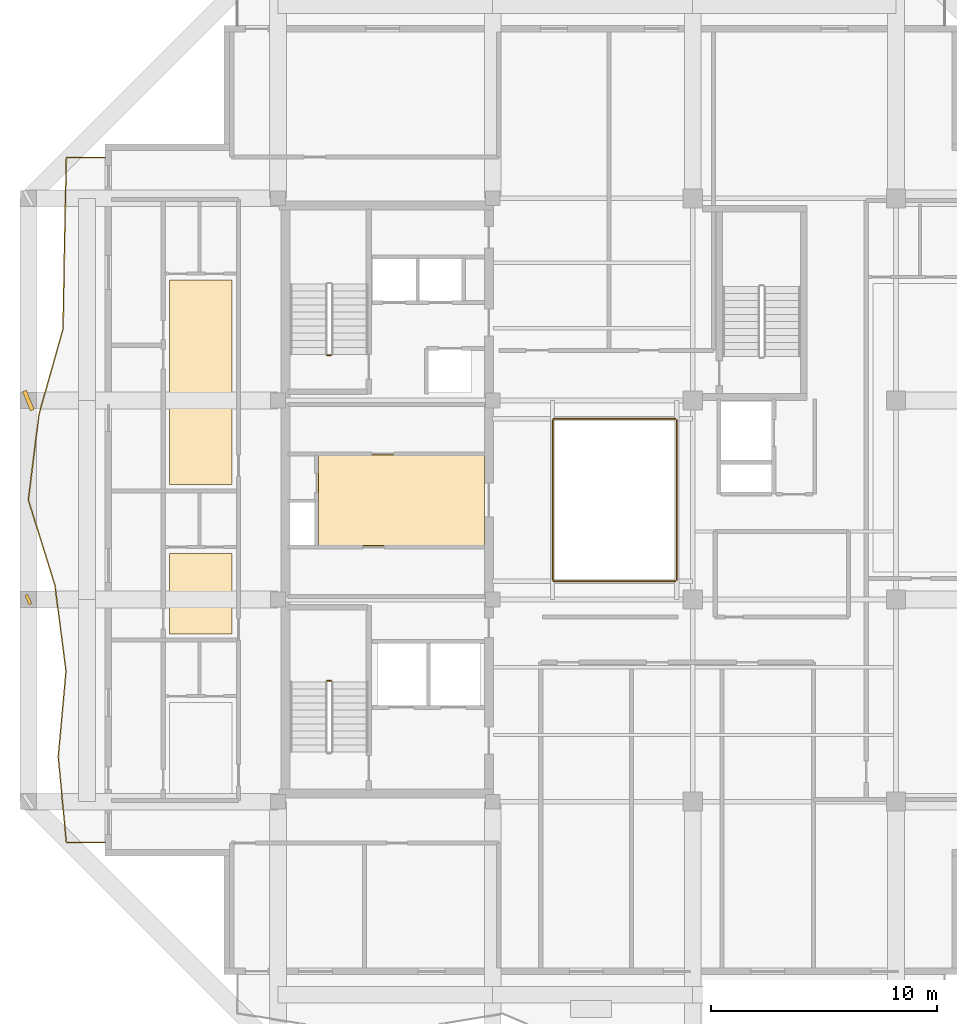
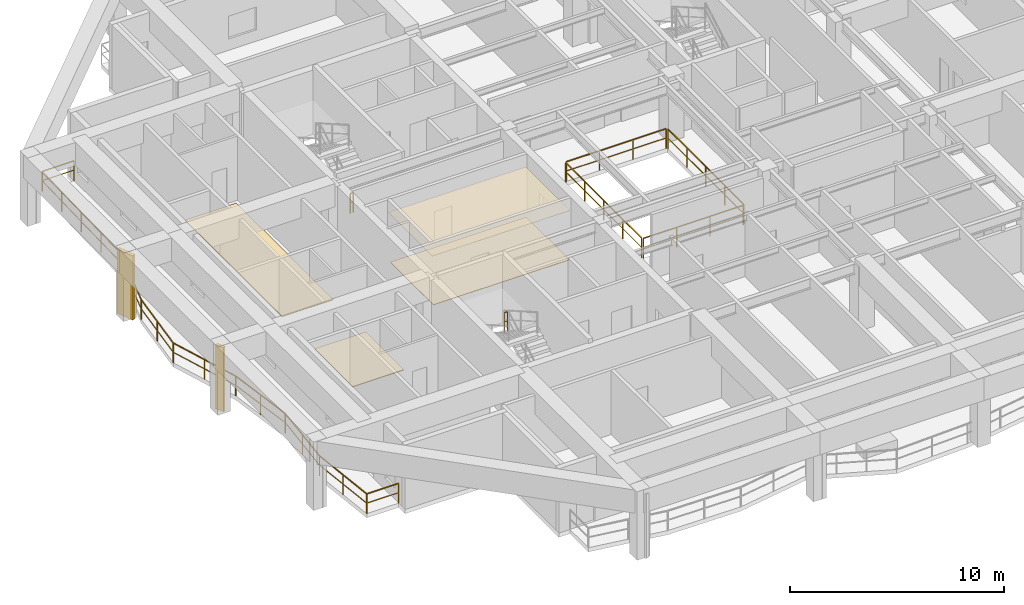
# One storey, part 8 of 11: 7 railings, 4 coverings, 2 shading devices.
"""IFC4 building model written with IfcOpenShell, lengths in metres."""

from ifc_helpers import new_model, si_unit, direction, frame, origin, origin_2d, place, context, subcontext, project, spatial, polyline, rectangle, outline, extrude, material, layer, layer_set, type_object, element, save


model = new_model("IFC4")

# Units and contexts
model_context = context("Model", 3, precision=1e-05, world=origin(), true_north=direction((0.0, 1.0)))
body_context = subcontext(model_context, "Body", "Model", "MODEL_VIEW")
ifc_project = project(units=[si_unit("LENGTHUNIT", "METRE"), si_unit("AREAUNIT", "SQUARE_METRE"), si_unit("VOLUMEUNIT", "CUBIC_METRE"), si_unit("PLANEANGLEUNIT", "RADIAN"), si_unit("MASSUNIT", "GRAM", prefix="KILO")], contexts=[model_context])

# Site, building, storey
site_placement = place(None, origin())
site = spatial("IfcSite", under=ifc_project, at=site_placement, CompositionType="ELEMENT")
building_placement = place(site_placement, origin())
building = spatial("IfcBuilding", under=site, at=building_placement, Name="Kundavana Baori Tower", CompositionType="ELEMENT")
storey_placement = place(building_placement, frame((0.0, 0.0, 268.699951171875)))
storey = spatial("IfcBuildingStorey", under=building, at=storey_placement, Name="L66", CompositionType="ELEMENT", Elevation=268.699951171875)

# Coverings
ifc_material_1 = material(Name="Honed Kota Stone and Terrazzo Flooring", Category="masonry")
ifc_layer_1 = layer(ifc_material_1, 0.0400390625, Name="COV-FLR-TERR-40")
ifc_layer_set_1 = layer_set([ifc_layer_1], Name="Honed Kota Stone and Terrazzo Flooring")
covering_type_1 = type_object("IfcCoveringType", Name="COV-FLR-TERR-40", PredefinedType="FLOORING", material=ifc_layer_set_1)
covering_1_placement = place(storey_placement, origin())
element("IfcCovering", 1, at=covering_1_placement, inside=storey, type_object=covering_type_1, Name="L66 Room Finished Stone Flooring 2", PredefinedType="FLOORING", context=body_context, shape_type="SweptSolid", body=[
    extrude(outline(polyline([(10.64990234375, 22.679931640625), (13.419921875, 22.679931640625), (13.419921875, 26.239990234375), (10.64990234375, 26.239990234375), (10.64990234375, 22.679931640625)])), origin(), (0.0, 0.0, 1.0), 0.0400390625),
])
covering_2_placement = place(storey_placement, origin())
element("IfcCovering", 2, at=covering_2_placement, inside=storey, type_object=covering_type_1, Name="L66 Room Finished Stone Flooring 3", PredefinedType="FLOORING", context=body_context, shape_type="SweptSolid", body=[
    extrude(outline(polyline([(10.64990234375, 29.280029296875), (13.419921875, 29.280029296875), (13.419921875, 38.340087890625), (10.64990234375, 38.340087890625), (10.64990234375, 29.280029296875)])), origin(), (0.0, 0.0, 1.0), 0.0400390625),
])
ifc_material_2 = material(Name="Perforated Acoustic Mineral Fibre Ceiling Board")
ifc_layer_2 = layer(ifc_material_2, 0.02490234375, Name="COV-INT-CEIL")
ifc_layer_set_2 = layer_set([ifc_layer_2], Name="Perforated Acoustic Mineral Fibre Ceiling Board")
covering_type_2 = type_object("IfcCoveringType", Name="COV-INT-CEIL", PredefinedType="CEILING", material=ifc_layer_set_2)
covering_3_placement = place(storey_placement, frame((0.0, 0.0, 2.85009765625)))
element("IfcCovering", 3, at=covering_3_placement, inside=storey, type_object=covering_type_2, Name="L66 Core Lift Lobby Acoustic Ceiling", PredefinedType="CEILING", context=body_context, shape_type="SweptSolid", body=[
    extrude(outline(polyline([(17.159912109375, 26.52001953125), (24.580078125, 26.52001953125), (24.580078125, 30.639892578125), (17.159912109375, 30.639892578125), (17.159912109375, 26.52001953125)])), origin(), (0.0, 0.0, 1.0), 0.02490234375),
])
ifc_material_3 = material(Name="Honed Kota Stone and Terrazzo Flooring", Category="masonry")
ifc_layer_3 = layer(ifc_material_3, 0.030029296875, Name="COV-INT-FLR")
ifc_layer_set_3 = layer_set([ifc_layer_3], Name="Honed Kota Stone and Terrazzo Flooring")
covering_type_3 = type_object("IfcCoveringType", Name="COV-INT-FLR", PredefinedType="FLOORING", material=ifc_layer_set_3)
covering_4_placement = place(storey_placement, origin())
element("IfcCovering", 4, at=covering_4_placement, inside=storey, type_object=covering_type_3, Name="L66 Core Lift Lobby Kota Stone Flooring", PredefinedType="FLOORING", context=body_context, shape_type="SweptSolid", body=[
    extrude(outline(polyline([(17.25, 26.580078125), (24.580078125, 26.580078125), (24.580078125, 30.60009765625), (17.25, 30.60009765625), (17.25, 26.580078125)])), origin(), (0.0, 0.0, 1.0), 0.030029296875),
])

# Railings
ifc_material_4 = material(Name="Architectural Patinated Bronze Metalwork")
railing_type_1 = type_object("IfcRailingType", Name="RL-BAL-1150", PredefinedType="BALUSTRADE", material=ifc_material_4)
railing_1_placement = place(storey_placement, frame((7.800048828125, 13.449951171875, 0.0)))
element("IfcRailing", 5, at=railing_1_placement, inside=storey, type_object=railing_type_1, Name="L66 Loggia Balcony Balustrade W", PredefinedType="BALUSTRADE", context=body_context, shape_type="SweptSolid", body=[
    extrude(rectangle(XDim=0.048095703125, YDim=0.048095703125, at=origin_2d()), frame((0.0, 0.0, 1.1259765625), z_axis=(-1.0, 0.0, 0.0), x_axis=(0.0, -1.0, 0.0)), (0.0, 0.0, 1.0), 1.719970703125),
    extrude(rectangle(XDim=0.03125, YDim=0.03125, at=origin_2d()), frame((0.0, 0.0, 0.597900390625), z_axis=(-1.0, 0.0, 0.0), x_axis=(0.0, -1.0, 0.0)), (0.0, 0.0, 1.0), 1.719970703125),
    extrude(rectangle(XDim=0.048095703125, YDim=0.048095703125, at=origin_2d()), frame((-1.719970703125, 0.0, 1.1259765625), z_axis=(-0.094636507087, 0.995511894216, 0.0), x_axis=(-0.995511894216, -0.094636507087, 0.0)), (0.0, 0.0, 1.0), 3.80517578125),
    extrude(rectangle(XDim=0.03125, YDim=0.03125, at=origin_2d()), frame((-1.719970703125, 0.0, 0.597900390625), z_axis=(-0.094636507087, 0.995511894216, 0.0), x_axis=(-0.995511894216, -0.094636507087, 0.0)), (0.0, 0.0, 1.0), 3.80517578125),
    extrude(rectangle(XDim=0.048095703125, YDim=0.048095703125, at=origin_2d()), frame((-2.080078125, 3.7880859375, 1.1259765625), z_axis=(0.090211545969, 0.995922625998, 0.0), x_axis=(-0.995922625998, 0.090211545969, 0.0)), (0.0, 0.0, 1.0), 3.802490234375),
    extrude(rectangle(XDim=0.03125, YDim=0.03125, at=origin_2d()), frame((-2.080078125, 3.7880859375, 0.597900390625), z_axis=(0.090211545969, 0.995922625998, 0.0), x_axis=(-0.995922625998, 0.090211545969, 0.0)), (0.0, 0.0, 1.0), 3.802490234375),
    extrude(rectangle(XDim=0.048095703125, YDim=0.048095703125, at=origin_2d()), frame((-1.737060546875, 7.574951171875, 1.1259765625), z_axis=(-0.127307873225, 0.991863249352, 0.0), x_axis=(-0.991863249352, -0.127307873225, 0.0)), (0.0, 0.0, 1.0), 3.818115234375),
    extrude(rectangle(XDim=0.03125, YDim=0.03125, at=origin_2d()), frame((-1.737060546875, 7.574951171875, 0.597900390625), z_axis=(-0.127307873225, 0.991863249352, 0.0), x_axis=(-0.991863249352, -0.127307873225, 0.0)), (0.0, 0.0, 1.0), 3.818115234375),
    extrude(rectangle(XDim=0.048095703125, YDim=0.048095703125, at=origin_2d()), frame((-2.22314453125, 11.362060546875, 1.1259765625), z_axis=(-0.296718615779, 0.954964953833, 0.0), x_axis=(-0.954964953833, -0.296718615779, 0.0)), (0.0, 0.0, 1.0), 3.966796875),
    extrude(rectangle(XDim=0.03125, YDim=0.03125, at=origin_2d()), frame((-2.22314453125, 11.362060546875, 0.597900390625), z_axis=(-0.296718615779, 0.954964953833, 0.0), x_axis=(-0.954964953833, -0.296718615779, 0.0)), (0.0, 0.0, 1.0), 3.966796875),
    extrude(rectangle(XDim=0.048095703125, YDim=0.048095703125, at=origin_2d()), frame((-3.400146484375, 15.150146484375, 1.1259765625), z_axis=(0.122373326497, 0.992484140408, 0.0), x_axis=(-0.992484140408, 0.122373326497, 0.0)), (0.0, 0.0, 1.0), 3.81640625),
    extrude(rectangle(XDim=0.03125, YDim=0.03125, at=origin_2d()), frame((-3.400146484375, 15.150146484375, 0.597900390625), z_axis=(0.122373326497, 0.992484140408, 0.0), x_axis=(-0.992484140408, 0.122373326497, 0.0)), (0.0, 0.0, 1.0), 3.81640625),
    extrude(rectangle(XDim=0.048095703125, YDim=0.048095703125, at=origin_2d()), frame((-2.93310546875, 18.93798828125, 1.1259765625), z_axis=(0.270989965618, 0.962582172354, 0.0), x_axis=(-0.962582172354, 0.270989965618, 0.0)), (0.0, 0.0, 1.0), 3.934326171875),
    extrude(rectangle(XDim=0.03125, YDim=0.03125, at=origin_2d()), frame((-2.93310546875, 18.93798828125, 0.597900390625), z_axis=(0.270989965618, 0.962582172354, 0.0), x_axis=(-0.962582172354, 0.270989965618, 0.0)), (0.0, 0.0, 1.0), 3.934326171875),
    extrude(rectangle(XDim=0.048095703125, YDim=0.048095703125, at=origin_2d()), frame((-1.866943359375, 22.72509765625, 1.1259765625), z_axis=(0.017146598823, 0.999852986268, 0.0), x_axis=(-0.999852986268, 0.017146598823, 0.0)), (0.0, 0.0, 1.0), 3.787353515625),
    extrude(rectangle(XDim=0.03125, YDim=0.03125, at=origin_2d()), frame((-1.866943359375, 22.72509765625, 0.597900390625), z_axis=(0.017146598823, 0.999852986268, 0.0), x_axis=(-0.999852986268, 0.017146598823, 0.0)), (0.0, 0.0, 1.0), 3.787353515625),
    extrude(rectangle(XDim=0.048095703125, YDim=0.048095703125, at=origin_2d()), frame((-1.802001953125, 26.511962890625, 1.1259765625), z_axis=(0.02164999004, 0.999765611497, 0.0), x_axis=(-0.999765611497, 0.02164999004, 0.0)), (0.0, 0.0, 1.0), 3.7890625),
    extrude(rectangle(XDim=0.03125, YDim=0.03125, at=origin_2d()), frame((-1.802001953125, 26.511962890625, 0.597900390625), z_axis=(0.02164999004, 0.999765611497, 0.0), x_axis=(-0.999765611497, 0.02164999004, 0.0)), (0.0, 0.0, 1.0), 3.7890625),
    extrude(rectangle(XDim=0.048095703125, YDim=0.048095703125, at=origin_2d()), frame((-1.719970703125, 30.300048828125, 1.1259765625), z_axis=(1.0, 0.0, 0.0), x_axis=(0.0, 1.0, 0.0)), (0.0, 0.0, 1.0), 1.719970703125),
    extrude(rectangle(XDim=0.03125, YDim=0.03125, at=origin_2d()), frame((-1.719970703125, 30.300048828125, 0.597900390625), z_axis=(1.0, 0.0, 0.0), x_axis=(0.0, 1.0, 0.0)), (0.0, 0.0, 1.0), 1.719970703125),
    extrude(rectangle(XDim=0.0419921875, YDim=0.0419921875, at=origin_2d()), origin(), (0.0, 0.0, 1.0), 1.101806640625),
    extrude(rectangle(XDim=0.0419921875, YDim=0.0419921875, at=origin_2d()), frame((-1.719970703125, 0.0, 0.0)), (0.0, 0.0, 1.0), 1.101806640625),
    extrude(rectangle(XDim=0.0419921875, YDim=0.0419921875, at=origin_2d()), frame((-1.89990234375, 1.89404296875, 0.0)), (0.0, 0.0, 1.0), 1.101806640625),
    extrude(rectangle(XDim=0.0419921875, YDim=0.0419921875, at=origin_2d()), frame((-2.080078125, 3.7880859375, 0.0)), (0.0, 0.0, 1.0), 1.101806640625),
    extrude(rectangle(XDim=0.0419921875, YDim=0.0419921875, at=origin_2d()), frame((-1.90869140625, 5.681640625, 0.0)), (0.0, 0.0, 1.0), 1.101806640625),
    extrude(rectangle(XDim=0.0419921875, YDim=0.0419921875, at=origin_2d()), frame((-1.737060546875, 7.574951171875, 0.0)), (0.0, 0.0, 1.0), 1.101806640625),
    extrude(rectangle(XDim=0.0419921875, YDim=0.0419921875, at=origin_2d()), frame((-1.97998046875, 9.468505859375, 0.0)), (0.0, 0.0, 1.0), 1.101806640625),
    extrude(rectangle(XDim=0.0419921875, YDim=0.0419921875, at=origin_2d()), frame((-2.22314453125, 11.362060546875, 0.0)), (0.0, 0.0, 1.0), 1.101806640625),
    extrude(rectangle(XDim=0.0419921875, YDim=0.0419921875, at=origin_2d()), frame((-2.8115234375, 13.256103515625, 0.0)), (0.0, 0.0, 1.0), 1.101806640625),
    extrude(rectangle(XDim=0.0419921875, YDim=0.0419921875, at=origin_2d()), frame((-3.400146484375, 15.150146484375, 0.0)), (0.0, 0.0, 1.0), 1.101806640625),
    extrude(rectangle(XDim=0.0419921875, YDim=0.0419921875, at=origin_2d()), frame((-3.16650390625, 17.0439453125, 0.0)), (0.0, 0.0, 1.0), 1.101806640625),
    extrude(rectangle(XDim=0.0419921875, YDim=0.0419921875, at=origin_2d()), frame((-2.93310546875, 18.93798828125, 0.0)), (0.0, 0.0, 1.0), 1.101806640625),
    extrude(rectangle(XDim=0.0419921875, YDim=0.0419921875, at=origin_2d()), frame((-2.39990234375, 20.83154296875, 0.0)), (0.0, 0.0, 1.0), 1.101806640625),
    extrude(rectangle(XDim=0.0419921875, YDim=0.0419921875, at=origin_2d()), frame((-1.866943359375, 22.72509765625, 0.0)), (0.0, 0.0, 1.0), 1.101806640625),
    extrude(rectangle(XDim=0.0419921875, YDim=0.0419921875, at=origin_2d()), frame((-1.83447265625, 24.61865234375, 0.0)), (0.0, 0.0, 1.0), 1.101806640625),
    extrude(rectangle(XDim=0.0419921875, YDim=0.0419921875, at=origin_2d()), frame((-1.802001953125, 26.511962890625, 0.0)), (0.0, 0.0, 1.0), 1.101806640625),
    extrude(rectangle(XDim=0.0419921875, YDim=0.0419921875, at=origin_2d()), frame((-1.760986328125, 28.406005859375, 0.0)), (0.0, 0.0, 1.0), 1.101806640625),
    extrude(rectangle(XDim=0.0419921875, YDim=0.0419921875, at=origin_2d()), frame((-1.719970703125, 30.300048828125, 0.0)), (0.0, 0.0, 1.0), 1.101806640625),
    extrude(rectangle(XDim=0.0419921875, YDim=0.0419921875, at=origin_2d()), frame((0.0, 30.300048828125, 0.0)), (0.0, 0.0, 1.0), 1.101806640625),
])
ifc_material_5 = material(Name="Architectural Patinated Bronze Metalwork")
railing_type_2 = type_object("IfcRailingType", Name="RL-GRD-1150", PredefinedType="GUARDRAIL", material=ifc_material_5)
for number, where, name in (
    (6, (17.7900390625, 20.60009765625, 1.949951171875), "L66 ST1 stair guard 2"),
    (7, (17.7900390625, 35.0, 0.0), "L66 ST2 stair guard 4"),
):
    element("IfcRailing", number, at=place(storey_placement, frame(where)), inside=storey, type_object=railing_type_2, Name=name, PredefinedType="GUARDRAIL", context=body_context, shape_type="SweptSolid", body=[
        extrude(rectangle(XDim=0.048095703125, YDim=0.048095703125, at=origin_2d()), frame((0.0, 0.0, 1.1259765625), z_axis=(-1.0, 0.0, 0.0), x_axis=(0.0, -1.0, 0.0)), (0.0, 0.0, 1.0), 0.16015625),
        extrude(rectangle(XDim=0.03125, YDim=0.03125, at=origin_2d()), frame((0.0, 0.0, 0.597900390625), z_axis=(-1.0, 0.0, 0.0), x_axis=(0.0, -1.0, 0.0)), (0.0, 0.0, 1.0), 0.16015625),
        extrude(rectangle(XDim=0.0419921875, YDim=0.0419921875, at=origin_2d()), origin(), (0.0, 0.0, 1.0), 1.101806640625),
        extrude(rectangle(XDim=0.0419921875, YDim=0.0419921875, at=origin_2d()), frame((-0.16015625, 0.0, 0.0)), (0.0, 0.0, 1.0), 1.101806640625),
    ])
railing_2_placement = place(storey_placement, frame((27.659912109375, 25.0, 0.0)))
element("IfcRailing", 8, at=railing_2_placement, inside=storey, type_object=railing_type_2, Name="L66 Atrium Void Perimeter Guardrail S", PredefinedType="GUARDRAIL", context=body_context, shape_type="SweptSolid", body=[
    extrude(rectangle(XDim=0.048095703125, YDim=0.048095703125, at=origin_2d()), frame((0.0, 0.0, 1.1259765625), z_axis=(1.0, 0.0, 0.0), x_axis=(0.0, 1.0, 0.0)), (0.0, 0.0, 1.0), 5.380126953125),
    extrude(rectangle(XDim=0.03125, YDim=0.03125, at=origin_2d()), frame((0.0, 0.0, 0.597900390625), z_axis=(1.0, 0.0, 0.0), x_axis=(0.0, 1.0, 0.0)), (0.0, 0.0, 1.0), 5.380126953125),
    extrude(rectangle(XDim=0.0419921875, YDim=0.0419921875, at=origin_2d()), origin(), (0.0, 0.0, 1.0), 1.101806640625),
    extrude(rectangle(XDim=0.0419921875, YDim=0.0419921875, at=origin_2d()), frame((1.79345703125, 0.0, 0.0)), (0.0, 0.0, 1.0), 1.101806640625),
    extrude(rectangle(XDim=0.0419921875, YDim=0.0419921875, at=origin_2d()), frame((3.586669921875, 0.0, 0.0)), (0.0, 0.0, 1.0), 1.101806640625),
    extrude(rectangle(XDim=0.0419921875, YDim=0.0419921875, at=origin_2d()), frame((5.380126953125, 0.0, 0.0)), (0.0, 0.0, 1.0), 1.101806640625),
])
railing_3_placement = place(storey_placement, frame((33.10009765625, 25.06005859375, 0.0)))
element("IfcRailing", 9, at=railing_3_placement, inside=storey, type_object=railing_type_2, Name="L66 Atrium Void Perimeter Guardrail E", PredefinedType="GUARDRAIL", context=body_context, shape_type="SweptSolid", body=[
    extrude(rectangle(XDim=0.048095703125, YDim=0.048095703125, at=origin_2d()), frame((0.0, 0.0, 1.1259765625), z_axis=(0.0, 1.0, 0.0), x_axis=(-1.0, 0.0, 0.0)), (0.0, 0.0, 1.0), 7.079833984375),
    extrude(rectangle(XDim=0.03125, YDim=0.03125, at=origin_2d()), frame((0.0, 0.0, 0.597900390625), z_axis=(0.0, 1.0, 0.0), x_axis=(-1.0, 0.0, 0.0)), (0.0, 0.0, 1.0), 7.079833984375),
    extrude(rectangle(XDim=0.0419921875, YDim=0.0419921875, at=origin_2d()), origin(), (0.0, 0.0, 1.0), 1.101806640625),
    extrude(rectangle(XDim=0.0419921875, YDim=0.0419921875, at=origin_2d()), frame((0.0, 1.77001953125, 0.0)), (0.0, 0.0, 1.0), 1.101806640625),
    extrude(rectangle(XDim=0.0419921875, YDim=0.0419921875, at=origin_2d()), frame((0.0, 3.5400390625, 0.0)), (0.0, 0.0, 1.0), 1.101806640625),
    extrude(rectangle(XDim=0.0419921875, YDim=0.0419921875, at=origin_2d()), frame((0.0, 5.309814453125, 0.0)), (0.0, 0.0, 1.0), 1.101806640625),
    extrude(rectangle(XDim=0.0419921875, YDim=0.0419921875, at=origin_2d()), frame((0.0, 7.079833984375, 0.0)), (0.0, 0.0, 1.0), 1.101806640625),
])
railing_4_placement = place(storey_placement, frame((33.0400390625, 32.199951171875, 0.0)))
element("IfcRailing", 10, at=railing_4_placement, inside=storey, type_object=railing_type_2, Name="L66 Atrium Void Perimeter Guardrail N", PredefinedType="GUARDRAIL", context=body_context, shape_type="SweptSolid", body=[
    extrude(rectangle(XDim=0.048095703125, YDim=0.048095703125, at=origin_2d()), frame((0.0, 0.0, 1.1259765625), z_axis=(-1.0, 0.0, 0.0), x_axis=(0.0, -1.0, 0.0)), (0.0, 0.0, 1.0), 5.380126953125),
    extrude(rectangle(XDim=0.03125, YDim=0.03125, at=origin_2d()), frame((0.0, 0.0, 0.597900390625), z_axis=(-1.0, 0.0, 0.0), x_axis=(0.0, -1.0, 0.0)), (0.0, 0.0, 1.0), 5.380126953125),
    extrude(rectangle(XDim=0.0419921875, YDim=0.0419921875, at=origin_2d()), origin(), (0.0, 0.0, 1.0), 1.101806640625),
    extrude(rectangle(XDim=0.0419921875, YDim=0.0419921875, at=origin_2d()), frame((-1.79345703125, 0.0, 0.0)), (0.0, 0.0, 1.0), 1.101806640625),
    extrude(rectangle(XDim=0.0419921875, YDim=0.0419921875, at=origin_2d()), frame((-3.586669921875, 0.0, 0.0)), (0.0, 0.0, 1.0), 1.101806640625),
    extrude(rectangle(XDim=0.0419921875, YDim=0.0419921875, at=origin_2d()), frame((-5.380126953125, 0.0, 0.0)), (0.0, 0.0, 1.0), 1.101806640625),
])
railing_5_placement = place(storey_placement, frame((27.60009765625, 32.139892578125, 0.0)))
element("IfcRailing", 11, at=railing_5_placement, inside=storey, type_object=railing_type_2, Name="L66 Atrium Void Perimeter Guardrail W", PredefinedType="GUARDRAIL", context=body_context, shape_type="SweptSolid", body=[
    extrude(rectangle(XDim=0.048095703125, YDim=0.048095703125, at=origin_2d()), frame((0.0, 0.0, 1.1259765625), z_axis=(0.0, -1.0, 0.0), x_axis=(1.0, 0.0, 0.0)), (0.0, 0.0, 1.0), 7.079833984375),
    extrude(rectangle(XDim=0.03125, YDim=0.03125, at=origin_2d()), frame((0.0, 0.0, 0.597900390625), z_axis=(0.0, -1.0, 0.0), x_axis=(1.0, 0.0, 0.0)), (0.0, 0.0, 1.0), 7.079833984375),
    extrude(rectangle(XDim=0.0419921875, YDim=0.0419921875, at=origin_2d()), origin(), (0.0, 0.0, 1.0), 1.101806640625),
    extrude(rectangle(XDim=0.0419921875, YDim=0.0419921875, at=origin_2d()), frame((0.0, -1.77001953125, 0.0)), (0.0, 0.0, 1.0), 1.101806640625),
    extrude(rectangle(XDim=0.0419921875, YDim=0.0419921875, at=origin_2d()), frame((0.0, -3.5400390625, 0.0)), (0.0, 0.0, 1.0), 1.101806640625),
    extrude(rectangle(XDim=0.0419921875, YDim=0.0419921875, at=origin_2d()), frame((0.0, -5.309814453125, 0.0)), (0.0, 0.0, 1.0), 1.101806640625),
    extrude(rectangle(XDim=0.0419921875, YDim=0.0419921875, at=origin_2d()), frame((0.0, -7.079833984375, 0.0)), (0.0, 0.0, 1.0), 1.101806640625),
])

# Shading devices
ifc_material_6 = material(Name="Red-Buff Dholpur Sandstone Cladding on Concrete C40/50", Category="masonry")
shading_device_type_1 = type_object("IfcShadingDeviceType", Name="SHD-FIN-920", PredefinedType="JALOUSIE", material=ifc_material_6)
shading_device_1_placement = place(storey_placement, frame((4.39990234375, 33.0, 0.0), z_axis=(0.0, 0.0, 1.0), x_axis=(0.925077206834, 0.379779095522, 0.0)))
element("IfcShadingDevice", 12, at=shading_device_1_placement, inside=storey, type_object=shading_device_type_1, Name="L66 Sweeping Dholpur Sandstone Facade Fin 7", PredefinedType="JALOUSIE", context=body_context, shape_type="SweptSolid", body=[
    extrude(rectangle(XDim=0.179931640625, YDim=0.919921875, at=origin_2d()), origin(), (0.0, 0.0, 1.0), 3.659912109375),
])
ifc_material_7 = material(Name="Architectural Patinated Bronze Metalwork")
shading_device_type_2 = type_object("IfcShadingDeviceType", Name="SHD-LOUV-450", PredefinedType="SHUTTER", material=ifc_material_7)
shading_device_2_placement = place(storey_placement, frame((4.39990234375, 24.199951171875, 0.0), z_axis=(0.0, 0.0, 1.0), x_axis=(0.90887248936, 0.417074091841, 0.0)))
element("IfcShadingDevice", 13, at=shading_device_2_placement, inside=storey, type_object=shading_device_type_2, Name="L66 Sweeping Dholpur Sandstone Facade Fin 6", PredefinedType="SHUTTER", context=body_context, shape_type="SweptSolid", body=[
    extrude(rectangle(XDim=0.139892578125, YDim=0.449951171875, at=origin_2d()), origin(), (0.0, 0.0, 1.0), 3.659912109375),
])

save(model, "model.ifc")
